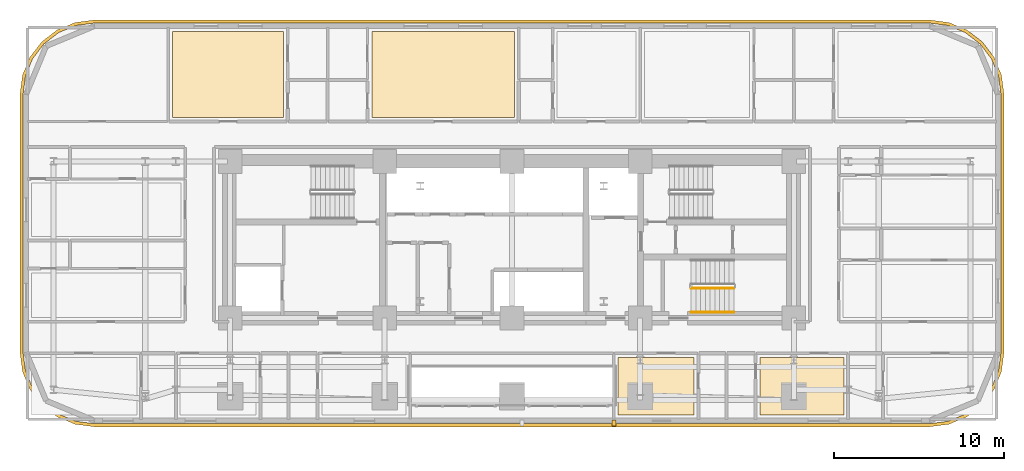
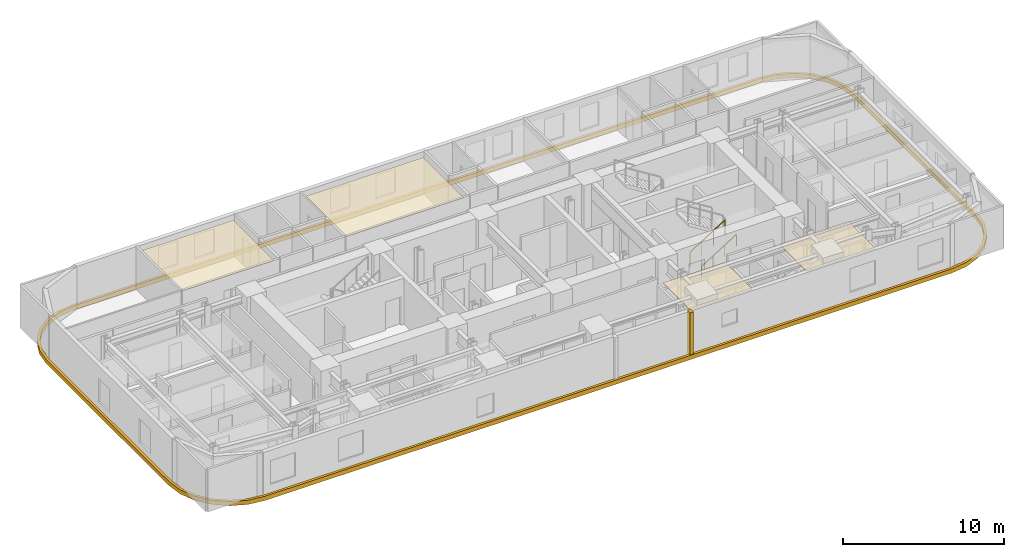
# One storey, part 15 of 16: 6 coverings, 2 railings.
"""IFC4 building model written with IfcOpenShell, lengths in metres."""

from ifc_helpers import new_model, si_unit, direction, frame, origin, origin_2d, place, context, subcontext, project, spatial, polyline, rectangle, outline, extrude, material, layer, layer_set, type_object, element, save


model = new_model("IFC4")

# Units and contexts
model_context = context("Model", 3, precision=1e-05, world=origin(), true_north=direction((0.0, 1.0)))
body_context = subcontext(model_context, "Body", "Model", "MODEL_VIEW")
ifc_project = project(units=[si_unit("LENGTHUNIT", "METRE"), si_unit("AREAUNIT", "SQUARE_METRE"), si_unit("VOLUMEUNIT", "CUBIC_METRE"), si_unit("PLANEANGLEUNIT", "RADIAN"), si_unit("MASSUNIT", "GRAM", prefix="KILO")], contexts=[model_context])

# Site, building, storey
site_placement = place(None, origin())
site = spatial("IfcSite", under=ifc_project, at=site_placement, CompositionType="ELEMENT")
building_placement = place(site_placement, origin())
building = spatial("IfcBuilding", under=site, at=building_placement, Name="Zarnavel Station Tower", CompositionType="ELEMENT")
storey_placement = place(building_placement, frame((0.0, 0.0, 32.5)))
storey = spatial("IfcBuildingStorey", under=building, at=storey_placement, Name="L08", CompositionType="ELEMENT", Elevation=32.5)

# Coverings
ifc_material_1 = material(Name="Perforated Gypsum and Mineral-Wool Acoustic Ceiling", Category="concrete")
ifc_layer = layer(ifc_material_1, 0.0400390625)
ifc_layer_set = layer_set([ifc_layer], Name="COV_CEIL_ACOUSTIC")
covering_type_1 = type_object("IfcCoveringType", Name="COV_CEIL_ACOUSTIC", PredefinedType="CEILING", material=ifc_layer_set)
covering_1_placement = place(storey_placement, frame((0.0, 0.0, 2.919921875)))
element("IfcCovering", 1, at=covering_1_placement, inside=storey, type_object=covering_type_1, Name="L08 HN1R Acoustic Ceiling", PredefinedType="CEILING", context=body_context, shape_type="SweptSolid", body=[
    extrude(outline(polyline([(8.81005859375, 39.64990234375), (15.341064453125, 39.64990234375), (15.341064453125, 44.68994140625), (8.81005859375, 44.68994140625), (8.81005859375, 39.64990234375)])), origin(), (0.0, 0.0, 1.0), 0.0400390625),
])
covering_2_placement = place(storey_placement, frame((0.0, 0.0, 2.919921875)))
element("IfcCovering", 2, at=covering_2_placement, inside=storey, type_object=covering_type_1, Name="L08 HN2R Acoustic Ceiling", PredefinedType="CEILING", context=body_context, shape_type="SweptSolid", body=[
    extrude(outline(polyline([(20.541015625, 39.64990234375), (28.947998046875, 39.64990234375), (28.947998046875, 44.68994140625), (20.541015625, 44.68994140625), (20.541015625, 39.64990234375)])), origin(), (0.0, 0.0, 1.0), 0.0400390625),
])
covering_3_placement = place(storey_placement, frame((0.0, 0.0, 2.919921875)))
element("IfcCovering", 3, at=covering_3_placement, inside=storey, type_object=covering_type_1, Name="L08 HE1R Acoustic Ceiling", PredefinedType="CEILING", context=body_context, shape_type="SweptSolid", body=[
    extrude(outline(polyline([(35.050048828125, 22.110107421875), (39.529052734375, 22.110107421875), (39.529052734375, 25.5), (35.050048828125, 25.5), (35.050048828125, 22.110107421875)])), origin(), (0.0, 0.0, 1.0), 0.0400390625),
])
covering_4_placement = place(storey_placement, frame((0.0, 0.0, 2.919921875)))
element("IfcCovering", 4, at=covering_4_placement, inside=storey, type_object=covering_type_1, Name="L08 HE2R Acoustic Ceiling", PredefinedType="CEILING", context=body_context, shape_type="SweptSolid", body=[
    extrude(outline(polyline([(43.39990234375, 22.110107421875), (48.35009765625, 22.110107421875), (48.35009765625, 25.5), (43.39990234375, 25.5), (43.39990234375, 22.110107421875)])), origin(), (0.0, 0.0, 1.0), 0.0400390625),
])
ifc_material_2 = material(Name="Precast concrete C45/55 (Pale Travertine Slab Band)", Category="masonry")
covering_type_2 = type_object("IfcCoveringType", Name="COV_TRAVERTINE_BAND", PredefinedType="CLADDING", material=ifc_material_2)
covering_5_placement = place(storey_placement, frame((0.0, 0.0, -0.260009765625)))
element("IfcCovering", 5, at=covering_5_placement, inside=storey, type_object=covering_type_2, Name="L08 Pale Travertine Slab-Edge Band", PredefinedType="CLADDING", context=body_context, shape_type="SweptSolid", body=[
    extrude(outline(polyline([(53.39990234375, 21.419921875), (54.53369140625, 21.569091796875), (55.590087890625, 22.0068359375), (56.4970703125, 22.702880859375), (57.193115234375, 23.610107421875), (57.630859375, 24.66650390625), (57.780029296875, 25.800048828125), (57.780029296875, 41.0), (57.630859375, 42.133544921875), (57.193115234375, 43.18994140625), (56.4970703125, 44.09716796875), (55.590087890625, 44.793212890625), (54.53369140625, 45.230712890625), (53.39990234375, 45.3798828125), (4.199951171875, 45.3798828125), (3.06640625, 45.230712890625), (2.010009765625, 44.793212890625), (1.102783203125, 44.09716796875), (0.40673828125, 43.18994140625), (-0.03076171875, 42.133544921875), (-0.179931640625, 41.0), (-0.179931640625, 25.800048828125), (-0.03076171875, 24.66650390625), (0.40673828125, 23.610107421875), (1.102783203125, 22.702880859375), (2.010009765625, 22.0068359375), (3.06640625, 21.569091796875), (4.199951171875, 21.419921875), (53.39990234375, 21.419921875)]), holes=[polyline([(53.39990234375, 21.60009765625), (54.487060546875, 21.7431640625), (55.5, 22.16259765625), (56.369873046875, 22.830078125), (57.037353515625, 23.699951171875), (57.456787109375, 24.712890625), (57.60009765625, 25.800048828125), (57.60009765625, 41.0), (57.456787109375, 42.0869140625), (57.037353515625, 43.10009765625), (56.369873046875, 43.9697265625), (55.5, 44.63720703125), (54.487060546875, 45.056884765625), (53.39990234375, 45.199951171875), (4.199951171875, 45.199951171875), (3.113037109375, 45.056884765625), (2.10009765625, 44.63720703125), (1.230224609375, 43.9697265625), (0.562744140625, 43.10009765625), (0.14306640625, 42.0869140625), (0.0, 41.0), (0.0, 25.800048828125), (0.14306640625, 24.712890625), (0.562744140625, 23.699951171875), (1.230224609375, 22.830078125), (2.10009765625, 22.16259765625), (3.113037109375, 21.7431640625), (4.199951171875, 21.60009765625), (53.39990234375, 21.60009765625)])]), origin(), (0.0, 0.0, 1.0), 0.320068359375),
])
covering_6_placement = place(storey_placement, frame((34.800048828125, 21.64990234375, 0.0), z_axis=(0.0, 0.0, 1.0), x_axis=(1.0, 0.0, 0.0)))
element("IfcCovering", 6, at=covering_6_placement, inside=storey, type_object=covering_type_2, Name="L08 Travertine Portal Loggia Vertical Jog East", PredefinedType="CLADDING", context=body_context, shape_type="SweptSolid", body=[
    extrude(rectangle(XDim=0.239990234375, YDim=0.360107421875, at=origin_2d()), origin(), (0.0, 0.0, 1.0), 3.239990234375),
])

# Railings
ifc_material_3 = material(Name="Painted Steel S355J2 Balustrade", Category="steel")
railing_type_1 = type_object("IfcRailingType", Name="GR_INT_1150", PredefinedType="GUARDRAIL", material=ifc_material_3)
railing_1_placement = place(storey_placement, frame((39.35009765625, 29.570068359375, 0.175048828125)))
element("IfcRailing", 7, at=railing_1_placement, inside=storey, type_object=railing_type_1, Name="L08 ST3 stair guard 1", PredefinedType="GUARDRAIL", context=body_context, shape_type="SweptSolid", body=[
    extrude(rectangle(XDim=0.048095703125, YDim=0.048095703125, at=origin_2d()), frame((0.001708984375, 0.0, 1.126953125), z_axis=(0.848007534815, 0.0, 0.529984170421), x_axis=(0.0, 1.0, 0.0)), (0.0, 0.0, 1.0), 2.9677734375),
    extrude(rectangle(XDim=0.0419921875, YDim=0.0419921875, at=origin_2d()), origin(), (0.0, 0.0, 1.0), 1.101806640625),
    extrude(rectangle(XDim=0.0419921875, YDim=0.0419921875, at=origin_2d()), frame((0.840087890625, 0.0, 0.52490234375)), (0.0, 0.0, 1.0), 1.101806640625),
    extrude(rectangle(XDim=0.0419921875, YDim=0.0419921875, at=origin_2d()), frame((1.679931640625, 0.0, 1.050048828125)), (0.0, 0.0, 1.0), 1.101806640625),
    extrude(rectangle(XDim=0.0419921875, YDim=0.0419921875, at=origin_2d()), frame((2.52001953125, 0.0, 1.574951171875)), (0.0, 0.0, 1.0), 1.101806640625),
])
ifc_material_4 = material(Name="Brushed Stainless Steel S355J2 Handrail", Category="steel")
railing_type_2 = type_object("IfcRailingType", Name="HR_STAIR_900", PredefinedType="HANDRAIL", material=ifc_material_4)
railing_2_placement = place(storey_placement, frame((39.35009765625, 28.169921875, 0.175048828125)))
element("IfcRailing", 8, at=railing_2_placement, inside=storey, type_object=railing_type_2, Name="L08 ST3 stair handrail 1", PredefinedType="HANDRAIL", context=body_context, shape_type="SweptSolid", body=[
    extrude(rectangle(XDim=0.048095703125, YDim=0.048095703125, at=origin_2d()), frame((0.001708984375, 0.0, 0.876953125), z_axis=(0.848007534815, 0.0, 0.529984170421), x_axis=(0.0, 1.0, 0.0)), (0.0, 0.0, 1.0), 2.9677734375),
    extrude(rectangle(XDim=0.0419921875, YDim=0.0419921875, at=origin_2d()), origin(), (0.0, 0.0, 1.0), 0.851806640625),
    extrude(rectangle(XDim=0.0419921875, YDim=0.0419921875, at=origin_2d()), frame((0.840087890625, 0.0, 0.52490234375)), (0.0, 0.0, 1.0), 0.851806640625),
    extrude(rectangle(XDim=0.0419921875, YDim=0.0419921875, at=origin_2d()), frame((1.679931640625, 0.0, 1.050048828125)), (0.0, 0.0, 1.0), 0.851806640625),
    extrude(rectangle(XDim=0.0419921875, YDim=0.0419921875, at=origin_2d()), frame((2.52001953125, 0.0, 1.574951171875)), (0.0, 0.0, 1.0), 0.851806640625),
])

save(model, "model.ifc")
